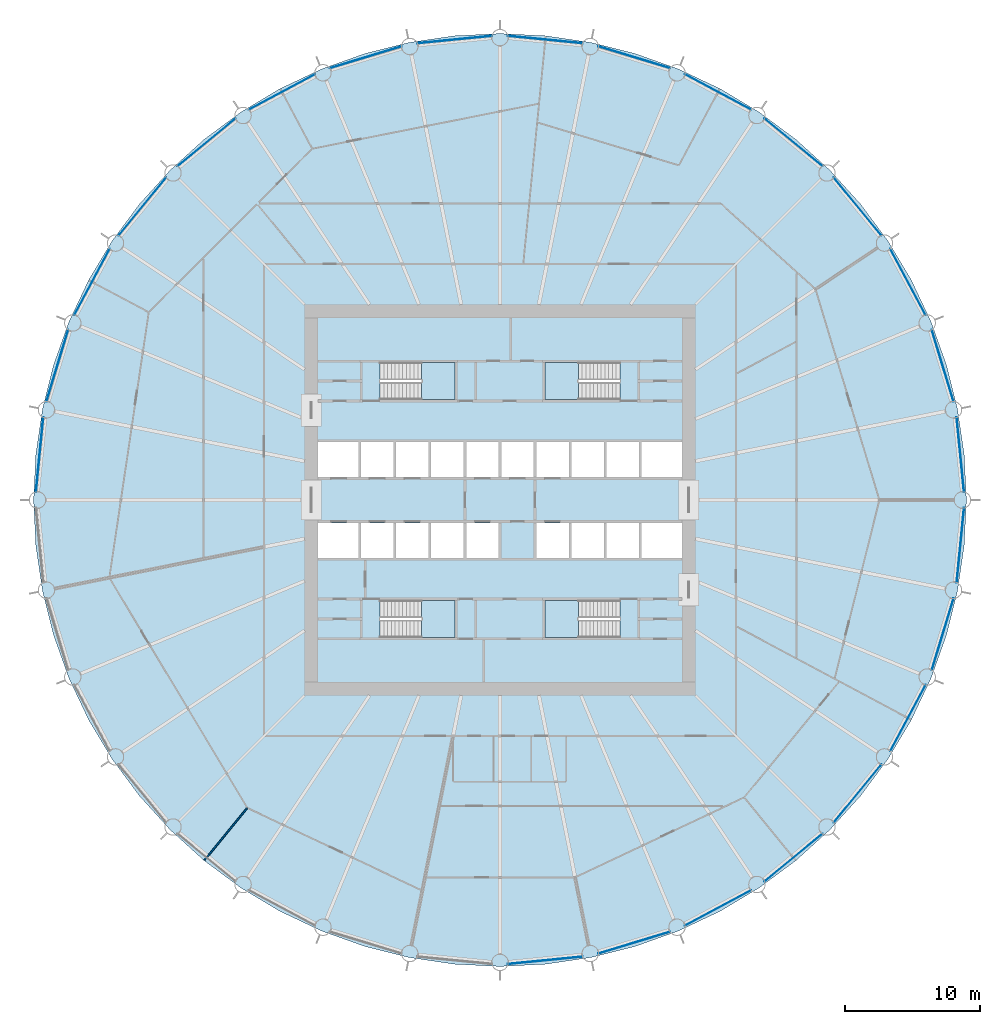
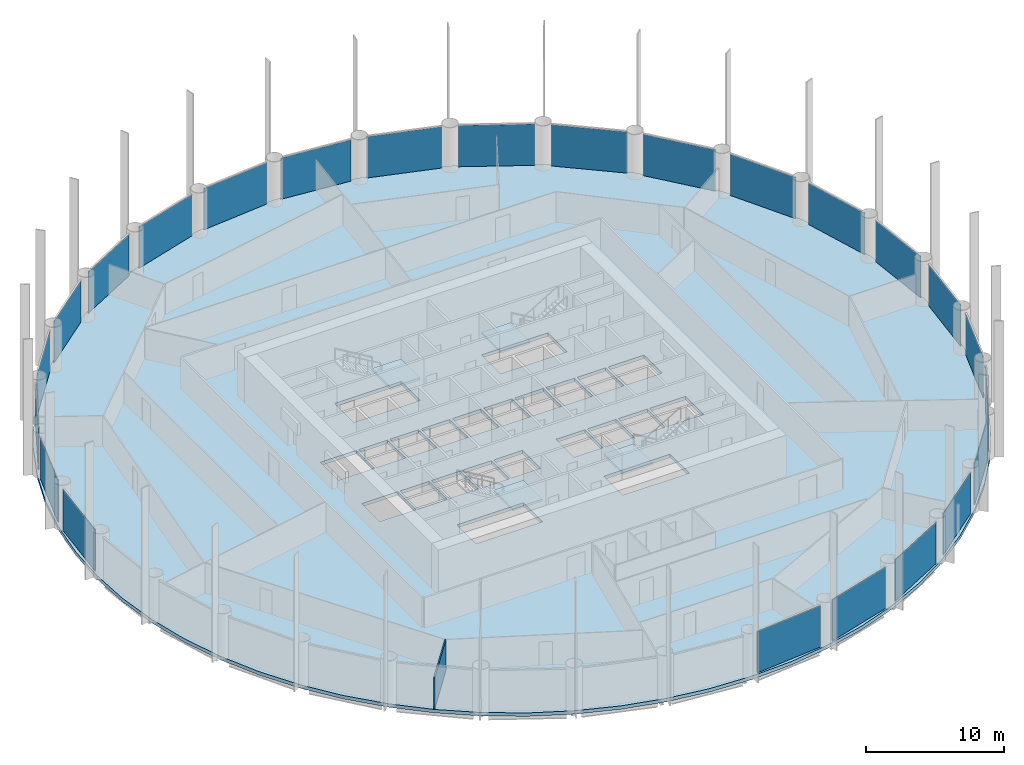
# One storey, part 3 of 10: 24 plates, 5 slabs, 1 wall, 28 elements without a shape of their own.
"""IFC4 building model written with IfcOpenShell, lengths in metres."""

from ifc_helpers import new_model, si_unit, direction, frame, frame_2d, origin, origin_2d, place, context, subcontext, project, spatial, polyline, rectangle, outline, extrude, material, layer, layer_set, type_object, element, aggregate, save


model = new_model("IFC4")

# Units and contexts
model_context = context("Model", 3, precision=1e-05, world=origin(), true_north=direction((0.0, 1.0)))
body_context = subcontext(model_context, "Body", "Model", "MODEL_VIEW")
ifc_project = project(units=[si_unit("LENGTHUNIT", "METRE"), si_unit("AREAUNIT", "SQUARE_METRE"), si_unit("VOLUMEUNIT", "CUBIC_METRE"), si_unit("PLANEANGLEUNIT", "RADIAN"), si_unit("MASSUNIT", "GRAM", prefix="KILO")], contexts=[model_context])

# Site, building, storey
site_placement = place(None, origin())
site = spatial("IfcSite", under=ifc_project, at=site_placement, CompositionType="ELEMENT")
building_placement = place(site_placement, origin())
building = spatial("IfcBuilding", under=site, at=building_placement, Name="Corvane Civic Tower", CompositionType="ELEMENT")
storey_placement = place(building_placement, frame((0.0, 0.0, 118.5)))
storey = spatial("IfcBuildingStorey", under=building, at=storey_placement, Name="L27", CompositionType="ELEMENT", Elevation=118.5)

# Slab
ifc_material_1 = material(Name="Concrete C40/50", Category="concrete")
ifc_layer_1 = layer(ifc_material_1, 0.300048828125)
ifc_layer_set_1 = layer_set([ifc_layer_1], Name="Concrete C40/50")
slab_type_1 = type_object("IfcSlabType", Name="FLOOR SLAB 300", PredefinedType="FLOOR", material=ifc_layer_set_1)
slab_1_placement = place(storey_placement, frame((0.0, 0.0, -0.300048828125)))
element("IfcSlab", 1, at=slab_1_placement, inside=storey, type_object=slab_type_1, Name="SLB-L27", PredefinedType="FLOOR", context=body_context, shape_type="SweptSolid", body=[
    extrude(outline(polyline([(0.0, 34.60009765625), (-3.391357421875, 34.433349609375), (-6.750244140625, 33.93505859375), (-10.0439453125, 33.110107421875), (-13.240966796875, 31.96630859375), (-16.310302734375, 30.514404296875), (-19.22265625, 28.768798828125), (-21.949951171875, 26.74609375), (-24.4658203125, 24.4658203125), (-26.74609375, 21.949951171875), (-28.768798828125, 19.22265625), (-30.514404296875, 16.310302734375), (-31.96630859375, 13.240966796875), (-33.110107421875, 10.0439453125), (-33.93505859375, 6.750244140625), (-34.433349609375, 3.391357421875), (-34.60009765625, 0.0), (-34.433349609375, -3.391357421875), (-33.93505859375, -6.750244140625), (-33.110107421875, -10.0439453125), (-31.96630859375, -13.240966796875), (-30.514404296875, -16.310302734375), (-28.768798828125, -19.22265625), (-26.74609375, -21.949951171875), (-24.4658203125, -24.4658203125), (-21.949951171875, -26.74609375), (-19.22265625, -28.768798828125), (-16.310302734375, -30.514404296875), (-13.240966796875, -31.96630859375), (-10.0439453125, -33.110107421875), (-6.750244140625, -33.93505859375), (-3.391357421875, -34.433349609375), (0.0, -34.60009765625), (3.391357421875, -34.433349609375), (6.750244140625, -33.93505859375), (10.0439453125, -33.110107421875), (13.240966796875, -31.96630859375), (16.310302734375, -30.514404296875), (19.22265625, -28.768798828125), (21.949951171875, -26.74609375), (24.4658203125, -24.4658203125), (26.74609375, -21.949951171875), (28.768798828125, -19.22265625), (30.514404296875, -16.310302734375), (31.96630859375, -13.240966796875), (33.110107421875, -10.0439453125), (33.93505859375, -6.750244140625), (34.433349609375, -3.391357421875), (34.60009765625, 0.0), (34.433349609375, 3.391357421875), (33.93505859375, 6.750244140625), (33.110107421875, 10.0439453125), (31.96630859375, 13.240966796875), (30.514404296875, 16.310302734375), (28.768798828125, 19.22265625), (26.74609375, 21.949951171875), (24.4658203125, 24.4658203125), (21.949951171875, 26.74609375), (19.22265625, 28.768798828125), (16.310302734375, 30.514404296875), (13.240966796875, 31.96630859375), (10.0439453125, 33.110107421875), (6.750244140625, 33.93505859375), (3.391357421875, 34.433349609375), (0.0, 34.60009765625)]), holes=[polyline([(-13.5, 4.300048828125), (-10.5, 4.300048828125), (-10.5, 1.699951171875), (-13.5, 1.699951171875), (-13.5, 4.300048828125)]), polyline([(-7.89990234375, 1.699951171875), (-10.300048828125, 1.699951171875), (-10.300048828125, 4.300048828125), (-7.89990234375, 4.300048828125), (-7.89990234375, 1.699951171875)]), polyline([(-7.699951171875, 4.300048828125), (-5.300048828125, 4.300048828125), (-5.300048828125, 1.699951171875), (-7.699951171875, 1.699951171875), (-7.699951171875, 4.300048828125)]), polyline([(-5.10009765625, 4.300048828125), (-2.699951171875, 4.300048828125), (-2.699951171875, 1.699951171875), (-5.10009765625, 1.699951171875), (-5.10009765625, 4.300048828125)]), polyline([(-2.5, 4.300048828125), (-0.10009765625, 4.300048828125), (-0.10009765625, 1.699951171875), (-2.5, 1.699951171875), (-2.5, 4.300048828125)]), polyline([(2.5, 4.300048828125), (2.5, 1.699951171875), (0.10009765625, 1.699951171875), (0.10009765625, 4.300048828125), (2.5, 4.300048828125)]), polyline([(2.699951171875, 4.300048828125), (5.10009765625, 4.300048828125), (5.10009765625, 1.699951171875), (2.699951171875, 1.699951171875), (2.699951171875, 4.300048828125)]), polyline([(5.300048828125, 4.300048828125), (7.699951171875, 4.300048828125), (7.699951171875, 1.699951171875), (5.300048828125, 1.699951171875), (5.300048828125, 4.300048828125)]), polyline([(7.89990234375, 4.300048828125), (10.300048828125, 4.300048828125), (10.300048828125, 1.699951171875), (7.89990234375, 1.699951171875), (7.89990234375, 4.300048828125)]), polyline([(13.5, 1.699951171875), (10.5, 1.699951171875), (10.5, 4.300048828125), (13.5, 4.300048828125), (13.5, 1.699951171875)]), polyline([(-13.5, -1.699951171875), (-10.5, -1.699951171875), (-10.5, -4.300048828125), (-13.5, -4.300048828125), (-13.5, -1.699951171875)]), polyline([(-10.300048828125, -1.699951171875), (-7.89990234375, -1.699951171875), (-7.89990234375, -4.300048828125), (-10.300048828125, -4.300048828125), (-10.300048828125, -1.699951171875)]), polyline([(-7.699951171875, -1.699951171875), (-5.300048828125, -1.699951171875), (-5.300048828125, -4.300048828125), (-7.699951171875, -4.300048828125), (-7.699951171875, -1.699951171875)]), polyline([(-5.10009765625, -1.699951171875), (-2.699951171875, -1.699951171875), (-2.699951171875, -4.300048828125), (-5.10009765625, -4.300048828125), (-5.10009765625, -1.699951171875)]), polyline([(-2.5, -1.699951171875), (-0.10009765625, -1.699951171875), (-0.10009765625, -4.300048828125), (-2.5, -4.300048828125), (-2.5, -1.699951171875)]), polyline([(2.699951171875, -1.699951171875), (5.10009765625, -1.699951171875), (5.10009765625, -4.300048828125), (2.699951171875, -4.300048828125), (2.699951171875, -1.699951171875)]), polyline([(5.300048828125, -1.699951171875), (7.699951171875, -1.699951171875), (7.699951171875, -4.300048828125), (5.300048828125, -4.300048828125), (5.300048828125, -1.699951171875)]), polyline([(7.89990234375, -4.300048828125), (7.89990234375, -1.699951171875), (10.300048828125, -1.699951171875), (10.300048828125, -4.300048828125), (7.89990234375, -4.300048828125)]), polyline([(13.5, -4.300048828125), (10.5, -4.300048828125), (10.5, -1.699951171875), (13.5, -1.699951171875), (13.5, -4.300048828125)]), polyline([(8.889892578125, 10.199951171875), (8.889892578125, 7.449951171875), (3.35009765625, 7.449951171875), (3.35009765625, 10.199951171875), (8.889892578125, 10.199951171875)]), polyline([(-8.889892578125, 7.449951171875), (-8.889892578125, 10.199951171875), (-3.35009765625, 10.199951171875), (-3.35009765625, 7.449951171875), (-8.889892578125, 7.449951171875)]), polyline([(8.889892578125, -7.449951171875), (8.889892578125, -10.199951171875), (3.35009765625, -10.199951171875), (3.35009765625, -7.449951171875), (8.889892578125, -7.449951171875)]), polyline([(-8.889892578125, -10.199951171875), (-8.889892578125, -7.449951171875), (-3.35009765625, -7.449951171875), (-3.35009765625, -10.199951171875), (-8.889892578125, -10.199951171875)])]), origin(), (0.0, 0.0, 1.0), 0.300048828125),
])

# Stair, slab
ifc_material_2 = material(Name="Concrete C40/50", Category="concrete")
stair_type = type_object("IfcStairType", Name="ST-STAIR-HALFTURN", PredefinedType="HALF_TURN_STAIR", material=ifc_material_2)
stair_1_placement = place(storey_placement, origin())
stair_1 = element("IfcStair", 2, at=stair_1_placement, inside=storey, type_object=stair_type, Name="L27 Exit stair ST1", PredefinedType="HALF_TURN_STAIR")
ifc_material_3 = material(Name="Concrete C40/50", Category="concrete")
ifc_layer_2 = layer(ifc_material_3, 0.199951171875)
ifc_layer_set_2 = layer_set([ifc_layer_2], Name="Concrete C40/50")
slab_type_2 = type_object("IfcSlabType", Name="ST-LANDING-RC", PredefinedType="LANDING", material=ifc_layer_set_2)
slab_2_placement = place(storey_placement, frame((0.0, 0.0, 1.800048828125)))
slab_2 = element("IfcSlab", 3, at=slab_2_placement, type_object=slab_type_2, Name="ST1 landing 1", PredefinedType="LANDING", context=body_context, shape_type="SweptSolid", body=[
    extrude(outline(polyline([(5.820068359375, 10.199951171875), (3.35009765625, 10.199951171875), (3.35009765625, 7.449951171875), (5.820068359375, 7.449951171875), (5.820068359375, 10.199951171875)])), origin(), (0.0, 0.0, 1.0), 0.199951171875),
])
aggregate(stair_1, [slab_2])

stair_2_placement = place(storey_placement, origin())
stair_2 = element("IfcStair", 4, at=stair_2_placement, inside=storey, type_object=stair_type, Name="L27 Exit stair ST2", PredefinedType="HALF_TURN_STAIR")
slab_3_placement = place(storey_placement, frame((0.0, 0.0, 1.800048828125)))
slab_3 = element("IfcSlab", 5, at=slab_3_placement, type_object=slab_type_2, Name="ST2 landing 1", PredefinedType="LANDING", context=body_context, shape_type="SweptSolid", body=[
    extrude(outline(polyline([(5.820068359375, -7.449951171875), (3.35009765625, -7.449951171875), (3.35009765625, -10.199951171875), (5.820068359375, -10.199951171875), (5.820068359375, -7.449951171875)])), origin(), (0.0, 0.0, 1.0), 0.199951171875),
])
aggregate(stair_2, [slab_3])

stair_3_placement = place(storey_placement, origin())
stair_3 = element("IfcStair", 6, at=stair_3_placement, inside=storey, type_object=stair_type, Name="L27 Exit stair ST3", PredefinedType="HALF_TURN_STAIR")
slab_4_placement = place(storey_placement, frame((0.0, 0.0, 1.800048828125)))
slab_4 = element("IfcSlab", 7, at=slab_4_placement, type_object=slab_type_2, Name="ST3 landing 1", PredefinedType="LANDING", context=body_context, shape_type="SweptSolid", body=[
    extrude(outline(polyline([(-5.820068359375, -10.199951171875), (-3.35009765625, -10.199951171875), (-3.35009765625, -7.449951171875), (-5.820068359375, -7.449951171875), (-5.820068359375, -10.199951171875)])), origin(), (0.0, 0.0, 1.0), 0.199951171875),
])
aggregate(stair_3, [slab_4])

stair_4_placement = place(storey_placement, origin())
stair_4 = element("IfcStair", 8, at=stair_4_placement, inside=storey, type_object=stair_type, Name="L27 Exit stair ST4", PredefinedType="HALF_TURN_STAIR")
slab_5_placement = place(storey_placement, frame((0.0, 0.0, 1.800048828125)))
slab_5 = element("IfcSlab", 9, at=slab_5_placement, type_object=slab_type_2, Name="ST4 landing 1", PredefinedType="LANDING", context=body_context, shape_type="SweptSolid", body=[
    extrude(outline(polyline([(-5.820068359375, 7.449951171875), (-3.35009765625, 7.449951171875), (-3.35009765625, 10.199951171875), (-5.820068359375, 10.199951171875), (-5.820068359375, 7.449951171875)])), origin(), (0.0, 0.0, 1.0), 0.199951171875),
])
aggregate(stair_4, [slab_5])

# Curtain wall, plate
ifc_material_4 = material(Name="Anodised aluminium bronze", Category="aluminium")
curtain_wall_type = type_object("IfcCurtainWallType", Name="TOWER CW-T1 STICK CURTAIN WALL", PredefinedType="NOTDEFINED", material=ifc_material_4)
curtain_wall_1_placement = place(storey_placement, origin())
curtain_wall_1 = element("IfcCurtainWall", 10, at=curtain_wall_1_placement, inside=storey, type_object=curtain_wall_type, Name="Curtain wall CW-T1 L27 bay 01", PredefinedType="NOTDEFINED")
ifc_material_5 = material(Name="Tinted glass", Category="glass")
ifc_layer_3 = layer(ifc_material_5, 0.035888671875)
ifc_layer_set_3 = layer_set([ifc_layer_3], Name="Tinted glass")
plate_type = type_object("IfcPlateType", Name="TOWER CW-T1 PANEL IGU36", PredefinedType="CURTAIN_PANEL", material=ifc_layer_set_3)
plate_1_placement = place(storey_placement, frame((3.36328125, 34.148681640625, 0.0), z_axis=(0.0, 0.0, 1.0), x_axis=(0.995183788169, -0.098026668644, 0.0)))
plate_1 = element("IfcPlate", 11, at=plate_1_placement, type_object=plate_type, Name="Glass panel CW-T1 L27 01.1", PredefinedType="CURTAIN_PANEL", context=body_context, shape_type="SweptSolid", body=[
    extrude(rectangle(XDim=5.58642578125, YDim=0.035888671875, at=origin_2d()), origin(), (0.0, 0.0, 1.0), 3.6298828125),
])
aggregate(curtain_wall_1, [plate_1])

curtain_wall_2_placement = place(storey_placement, origin())
curtain_wall_2 = element("IfcCurtainWall", 12, at=curtain_wall_2_placement, inside=storey, type_object=curtain_wall_type, Name="Curtain wall CW-T1 L27 bay 02", PredefinedType="NOTDEFINED")
plate_2_placement = place(storey_placement, frame((9.9609375, 32.83642578125, 0.0), z_axis=(0.0, 0.0, 1.0), x_axis=(0.956945991488, -0.290266032073, 0.0)))
plate_2 = element("IfcPlate", 13, at=plate_2_placement, type_object=plate_type, Name="Glass panel CW-T1 L27 02.1", PredefinedType="CURTAIN_PANEL", context=body_context, shape_type="SweptSolid", body=[
    extrude(rectangle(XDim=5.58642578125, YDim=0.035888671875, at=origin_2d()), origin(), (0.0, 0.0, 1.0), 3.6298828125),
])
aggregate(curtain_wall_2, [plate_2])

curtain_wall_3_placement = place(storey_placement, origin())
curtain_wall_3 = element("IfcCurtainWall", 14, at=curtain_wall_3_placement, inside=storey, type_object=curtain_wall_type, Name="Curtain wall CW-T1 L27 bay 03", PredefinedType="NOTDEFINED")
plate_3_placement = place(storey_placement, frame((16.175537109375, 30.26220703125, 0.0), z_axis=(0.0, 0.0, 1.0), x_axis=(0.881923642976, -0.471392286699, 0.0)))
plate_3 = element("IfcPlate", 15, at=plate_3_placement, type_object=plate_type, Name="Glass panel CW-T1 L27 03.1", PredefinedType="CURTAIN_PANEL", context=body_context, shape_type="SweptSolid", body=[
    extrude(rectangle(XDim=5.586669921875, YDim=0.035888671875, at=origin_2d()), origin(), (0.0, 0.0, 1.0), 3.6298828125),
])
aggregate(curtain_wall_3, [plate_3])

curtain_wall_4_placement = place(storey_placement, origin())
curtain_wall_4 = element("IfcCurtainWall", 16, at=curtain_wall_4_placement, inside=storey, type_object=curtain_wall_type, Name="Curtain wall CW-T1 L27 bay 04", PredefinedType="NOTDEFINED")
plate_4_placement = place(storey_placement, frame((21.7685546875, 26.525146484375, 0.0), z_axis=(0.0, 0.0, 1.0), x_axis=(0.773013419843, -0.63438966948, 0.0)))
plate_4 = element("IfcPlate", 17, at=plate_4_placement, type_object=plate_type, Name="Glass panel CW-T1 L27 04.1", PredefinedType="CURTAIN_PANEL", context=body_context, shape_type="SweptSolid", body=[
    extrude(rectangle(XDim=5.58642578125, YDim=0.035888671875, at=origin_2d()), origin(), (0.0, 0.0, 1.0), 3.6298828125),
])
aggregate(curtain_wall_4, [plate_4])

curtain_wall_5_placement = place(storey_placement, origin())
curtain_wall_5 = element("IfcCurtainWall", 18, at=curtain_wall_5_placement, inside=storey, type_object=curtain_wall_type, Name="Curtain wall CW-T1 L27 bay 05", PredefinedType="NOTDEFINED")
plate_5_placement = place(storey_placement, frame((26.525146484375, 21.7685546875, 0.0), z_axis=(0.0, 0.0, 1.0), x_axis=(0.63438966948, -0.773013419843, 0.0)))
plate_5 = element("IfcPlate", 19, at=plate_5_placement, type_object=plate_type, Name="Glass panel CW-T1 L27 05.1", PredefinedType="CURTAIN_PANEL", context=body_context, shape_type="SweptSolid", body=[
    extrude(rectangle(XDim=5.58642578125, YDim=0.035888671875, at=origin_2d()), origin(), (0.0, 0.0, 1.0), 3.6298828125),
])
aggregate(curtain_wall_5, [plate_5])

curtain_wall_6_placement = place(storey_placement, origin())
curtain_wall_6 = element("IfcCurtainWall", 20, at=curtain_wall_6_placement, inside=storey, type_object=curtain_wall_type, Name="Curtain wall CW-T1 L27 bay 06", PredefinedType="NOTDEFINED")
plate_6_placement = place(storey_placement, frame((30.26220703125, 16.175537109375, 0.0), z_axis=(0.0, 0.0, 1.0), x_axis=(0.471392286699, -0.881923642976, 0.0)))
plate_6 = element("IfcPlate", 21, at=plate_6_placement, type_object=plate_type, Name="Glass panel CW-T1 L27 06.1", PredefinedType="CURTAIN_PANEL", context=body_context, shape_type="SweptSolid", body=[
    extrude(rectangle(XDim=5.586669921875, YDim=0.035888671875, at=origin_2d()), origin(), (0.0, 0.0, 1.0), 3.6298828125),
])
aggregate(curtain_wall_6, [plate_6])

curtain_wall_7_placement = place(storey_placement, origin())
curtain_wall_7 = element("IfcCurtainWall", 22, at=curtain_wall_7_placement, inside=storey, type_object=curtain_wall_type, Name="Curtain wall CW-T1 L27 bay 07", PredefinedType="NOTDEFINED")
plate_7_placement = place(storey_placement, frame((32.83642578125, 9.9609375, 0.0), z_axis=(0.0, 0.0, 1.0), x_axis=(0.290266032073, -0.956945991488, 0.0)))
plate_7 = element("IfcPlate", 23, at=plate_7_placement, type_object=plate_type, Name="Glass panel CW-T1 L27 07.1", PredefinedType="CURTAIN_PANEL", context=body_context, shape_type="SweptSolid", body=[
    extrude(rectangle(XDim=5.58642578125, YDim=0.035888671875, at=origin_2d()), origin(), (0.0, 0.0, 1.0), 3.6298828125),
])
aggregate(curtain_wall_7, [plate_7])

curtain_wall_8_placement = place(storey_placement, origin())
curtain_wall_8 = element("IfcCurtainWall", 24, at=curtain_wall_8_placement, inside=storey, type_object=curtain_wall_type, Name="Curtain wall CW-T1 L27 bay 08", PredefinedType="NOTDEFINED")
plate_8_placement = place(storey_placement, frame((34.148681640625, 3.36328125, 0.0), z_axis=(0.0, 0.0, 1.0), x_axis=(0.098026668644, -0.995183788169, 0.0)))
plate_8 = element("IfcPlate", 25, at=plate_8_placement, type_object=plate_type, Name="Glass panel CW-T1 L27 08.1", PredefinedType="CURTAIN_PANEL", context=body_context, shape_type="SweptSolid", body=[
    extrude(rectangle(XDim=5.58642578125, YDim=0.035888671875, at=origin_2d()), origin(), (0.0, 0.0, 1.0), 3.6298828125),
])
aggregate(curtain_wall_8, [plate_8])

curtain_wall_9_placement = place(storey_placement, origin())
curtain_wall_9 = element("IfcCurtainWall", 26, at=curtain_wall_9_placement, inside=storey, type_object=curtain_wall_type, Name="Curtain wall CW-T1 L27 bay 09", PredefinedType="NOTDEFINED")
plate_9_placement = place(storey_placement, frame((34.148681640625, -3.36328125, 0.0), z_axis=(0.0, 0.0, 1.0), x_axis=(-0.098026668644, -0.995183788169, 0.0)))
plate_9 = element("IfcPlate", 27, at=plate_9_placement, type_object=plate_type, Name="Glass panel CW-T1 L27 09.1", PredefinedType="CURTAIN_PANEL", context=body_context, shape_type="SweptSolid", body=[
    extrude(rectangle(XDim=5.58642578125, YDim=0.035888671875, at=origin_2d()), origin(), (0.0, 0.0, 1.0), 3.6298828125),
])
aggregate(curtain_wall_9, [plate_9])

curtain_wall_10_placement = place(storey_placement, origin())
curtain_wall_10 = element("IfcCurtainWall", 28, at=curtain_wall_10_placement, inside=storey, type_object=curtain_wall_type, Name="Curtain wall CW-T1 L27 bay 10", PredefinedType="NOTDEFINED")
plate_10_placement = place(storey_placement, frame((32.83642578125, -9.9609375, 0.0), z_axis=(0.0, 0.0, 1.0), x_axis=(-0.290266032073, -0.956945991488, 0.0)))
plate_10 = element("IfcPlate", 29, at=plate_10_placement, type_object=plate_type, Name="Glass panel CW-T1 L27 10.1", PredefinedType="CURTAIN_PANEL", context=body_context, shape_type="SweptSolid", body=[
    extrude(rectangle(XDim=5.58642578125, YDim=0.035888671875, at=origin_2d()), origin(), (0.0, 0.0, 1.0), 3.6298828125),
])
aggregate(curtain_wall_10, [plate_10])

curtain_wall_11_placement = place(storey_placement, origin())
curtain_wall_11 = element("IfcCurtainWall", 30, at=curtain_wall_11_placement, inside=storey, type_object=curtain_wall_type, Name="Curtain wall CW-T1 L27 bay 11", PredefinedType="NOTDEFINED")
plate_11_placement = place(storey_placement, frame((30.26220703125, -16.175537109375, 0.0), z_axis=(0.0, 0.0, 1.0), x_axis=(-0.471392286699, -0.881923642976, 0.0)))
plate_11 = element("IfcPlate", 31, at=plate_11_placement, type_object=plate_type, Name="Glass panel CW-T1 L27 11.1", PredefinedType="CURTAIN_PANEL", context=body_context, shape_type="SweptSolid", body=[
    extrude(rectangle(XDim=5.586669921875, YDim=0.035888671875, at=origin_2d()), origin(), (0.0, 0.0, 1.0), 3.6298828125),
])
aggregate(curtain_wall_11, [plate_11])

curtain_wall_12_placement = place(storey_placement, origin())
curtain_wall_12 = element("IfcCurtainWall", 32, at=curtain_wall_12_placement, inside=storey, type_object=curtain_wall_type, Name="Curtain wall CW-T1 L27 bay 12", PredefinedType="NOTDEFINED")
plate_12_placement = place(storey_placement, frame((26.525146484375, -21.7685546875, 0.0), z_axis=(0.0, 0.0, 1.0), x_axis=(-0.63438966948, -0.773013419843, 0.0)))
plate_12 = element("IfcPlate", 33, at=plate_12_placement, type_object=plate_type, Name="Glass panel CW-T1 L27 12.1", PredefinedType="CURTAIN_PANEL", context=body_context, shape_type="SweptSolid", body=[
    extrude(rectangle(XDim=5.58642578125, YDim=0.035888671875, at=origin_2d()), origin(), (0.0, 0.0, 1.0), 3.6298828125),
])
aggregate(curtain_wall_12, [plate_12])

curtain_wall_13_placement = place(storey_placement, origin())
curtain_wall_13 = element("IfcCurtainWall", 34, at=curtain_wall_13_placement, inside=storey, type_object=curtain_wall_type, Name="Curtain wall CW-T1 L27 bay 13", PredefinedType="NOTDEFINED")
plate_13_placement = place(storey_placement, frame((21.7685546875, -26.525146484375, 0.0), z_axis=(0.0, 0.0, 1.0), x_axis=(-0.773013419843, -0.63438966948, 0.0)))
plate_13 = element("IfcPlate", 35, at=plate_13_placement, type_object=plate_type, Name="Glass panel CW-T1 L27 13.1", PredefinedType="CURTAIN_PANEL", context=body_context, shape_type="SweptSolid", body=[
    extrude(rectangle(XDim=5.58642578125, YDim=0.035888671875, at=origin_2d()), origin(), (0.0, 0.0, 1.0), 3.6298828125),
])
aggregate(curtain_wall_13, [plate_13])

curtain_wall_14_placement = place(storey_placement, origin())
curtain_wall_14 = element("IfcCurtainWall", 36, at=curtain_wall_14_placement, inside=storey, type_object=curtain_wall_type, Name="Curtain wall CW-T1 L27 bay 14", PredefinedType="NOTDEFINED")
plate_14_placement = place(storey_placement, frame((16.175537109375, -30.26220703125, 0.0), z_axis=(0.0, 0.0, 1.0), x_axis=(-0.881923642976, -0.471392286699, 0.0)))
plate_14 = element("IfcPlate", 37, at=plate_14_placement, type_object=plate_type, Name="Glass panel CW-T1 L27 14.1", PredefinedType="CURTAIN_PANEL", context=body_context, shape_type="SweptSolid", body=[
    extrude(rectangle(XDim=5.586669921875, YDim=0.035888671875, at=origin_2d()), origin(), (0.0, 0.0, 1.0), 3.6298828125),
])
aggregate(curtain_wall_14, [plate_14])

curtain_wall_15_placement = place(storey_placement, origin())
curtain_wall_15 = element("IfcCurtainWall", 38, at=curtain_wall_15_placement, inside=storey, type_object=curtain_wall_type, Name="Curtain wall CW-T1 L27 bay 15", PredefinedType="NOTDEFINED")
plate_15_placement = place(storey_placement, frame((9.9609375, -32.83642578125, 0.0), z_axis=(0.0, 0.0, 1.0), x_axis=(-0.956945991488, -0.290266032073, 0.0)))
plate_15 = element("IfcPlate", 39, at=plate_15_placement, type_object=plate_type, Name="Glass panel CW-T1 L27 15.1", PredefinedType="CURTAIN_PANEL", context=body_context, shape_type="SweptSolid", body=[
    extrude(rectangle(XDim=5.58642578125, YDim=0.035888671875, at=origin_2d()), origin(), (0.0, 0.0, 1.0), 3.6298828125),
])
aggregate(curtain_wall_15, [plate_15])

curtain_wall_16_placement = place(storey_placement, origin())
curtain_wall_16 = element("IfcCurtainWall", 40, at=curtain_wall_16_placement, inside=storey, type_object=curtain_wall_type, Name="Curtain wall CW-T1 L27 bay 16", PredefinedType="NOTDEFINED")
plate_16_placement = place(storey_placement, frame((3.36328125, -34.148681640625, 0.0), z_axis=(0.0, 0.0, 1.0), x_axis=(-0.995183788169, -0.098026668644, 0.0)))
plate_16 = element("IfcPlate", 41, at=plate_16_placement, type_object=plate_type, Name="Glass panel CW-T1 L27 16.1", PredefinedType="CURTAIN_PANEL", context=body_context, shape_type="SweptSolid", body=[
    extrude(rectangle(XDim=5.58642578125, YDim=0.035888671875, at=origin_2d()), origin(), (0.0, 0.0, 1.0), 3.6298828125),
])
aggregate(curtain_wall_16, [plate_16])

curtain_wall_17_placement = place(storey_placement, origin())
curtain_wall_17 = element("IfcCurtainWall", 42, at=curtain_wall_17_placement, inside=storey, type_object=curtain_wall_type, Name="Curtain wall CW-T1 L27 bay 25", PredefinedType="NOTDEFINED")
plate_17_placement = place(storey_placement, frame((-34.148681640625, 3.36328125, 0.0), z_axis=(0.0, 0.0, 1.0), x_axis=(0.098026668644, 0.995183788169, 0.0)))
plate_17 = element("IfcPlate", 43, at=plate_17_placement, type_object=plate_type, Name="Glass panel CW-T1 L27 25.1", PredefinedType="CURTAIN_PANEL", context=body_context, shape_type="SweptSolid", body=[
    extrude(rectangle(XDim=5.58642578125, YDim=0.035888671875, at=origin_2d()), origin(), (0.0, 0.0, 1.0), 3.6298828125),
])
aggregate(curtain_wall_17, [plate_17])

curtain_wall_18_placement = place(storey_placement, origin())
curtain_wall_18 = element("IfcCurtainWall", 44, at=curtain_wall_18_placement, inside=storey, type_object=curtain_wall_type, Name="Curtain wall CW-T1 L27 bay 26", PredefinedType="NOTDEFINED")
plate_18_placement = place(storey_placement, frame((-32.83642578125, 9.9609375, 0.0), z_axis=(0.0, 0.0, 1.0), x_axis=(0.290266032073, 0.956945991488, 0.0)))
plate_18 = element("IfcPlate", 45, at=plate_18_placement, type_object=plate_type, Name="Glass panel CW-T1 L27 26.1", PredefinedType="CURTAIN_PANEL", context=body_context, shape_type="SweptSolid", body=[
    extrude(rectangle(XDim=5.58642578125, YDim=0.035888671875, at=origin_2d()), origin(), (0.0, 0.0, 1.0), 3.6298828125),
])
aggregate(curtain_wall_18, [plate_18])

curtain_wall_19_placement = place(storey_placement, origin())
curtain_wall_19 = element("IfcCurtainWall", 46, at=curtain_wall_19_placement, inside=storey, type_object=curtain_wall_type, Name="Curtain wall CW-T1 L27 bay 27", PredefinedType="NOTDEFINED")
plate_19_placement = place(storey_placement, frame((-30.26220703125, 16.175537109375, 0.0), z_axis=(0.0, 0.0, 1.0), x_axis=(0.471392286699, 0.881923642976, 0.0)))
plate_19 = element("IfcPlate", 47, at=plate_19_placement, type_object=plate_type, Name="Glass panel CW-T1 L27 27.1", PredefinedType="CURTAIN_PANEL", context=body_context, shape_type="SweptSolid", body=[
    extrude(rectangle(XDim=5.586669921875, YDim=0.035888671875, at=origin_2d()), origin(), (0.0, 0.0, 1.0), 3.6298828125),
])
aggregate(curtain_wall_19, [plate_19])

curtain_wall_20_placement = place(storey_placement, origin())
curtain_wall_20 = element("IfcCurtainWall", 48, at=curtain_wall_20_placement, inside=storey, type_object=curtain_wall_type, Name="Curtain wall CW-T1 L27 bay 28", PredefinedType="NOTDEFINED")
plate_20_placement = place(storey_placement, frame((-26.525146484375, 21.7685546875, 0.0), z_axis=(0.0, 0.0, 1.0), x_axis=(0.63438966948, 0.773013419843, 0.0)))
plate_20 = element("IfcPlate", 49, at=plate_20_placement, type_object=plate_type, Name="Glass panel CW-T1 L27 28.1", PredefinedType="CURTAIN_PANEL", context=body_context, shape_type="SweptSolid", body=[
    extrude(rectangle(XDim=5.58642578125, YDim=0.035888671875, at=origin_2d()), origin(), (0.0, 0.0, 1.0), 3.6298828125),
])
aggregate(curtain_wall_20, [plate_20])

curtain_wall_21_placement = place(storey_placement, origin())
curtain_wall_21 = element("IfcCurtainWall", 50, at=curtain_wall_21_placement, inside=storey, type_object=curtain_wall_type, Name="Curtain wall CW-T1 L27 bay 29", PredefinedType="NOTDEFINED")
plate_21_placement = place(storey_placement, frame((-21.7685546875, 26.525146484375, 0.0), z_axis=(0.0, 0.0, 1.0), x_axis=(0.773013419843, 0.63438966948, 0.0)))
plate_21 = element("IfcPlate", 51, at=plate_21_placement, type_object=plate_type, Name="Glass panel CW-T1 L27 29.1", PredefinedType="CURTAIN_PANEL", context=body_context, shape_type="SweptSolid", body=[
    extrude(rectangle(XDim=5.58642578125, YDim=0.035888671875, at=origin_2d()), origin(), (0.0, 0.0, 1.0), 3.6298828125),
])
aggregate(curtain_wall_21, [plate_21])

curtain_wall_22_placement = place(storey_placement, origin())
curtain_wall_22 = element("IfcCurtainWall", 52, at=curtain_wall_22_placement, inside=storey, type_object=curtain_wall_type, Name="Curtain wall CW-T1 L27 bay 30", PredefinedType="NOTDEFINED")
plate_22_placement = place(storey_placement, frame((-16.175537109375, 30.26220703125, 0.0), z_axis=(0.0, 0.0, 1.0), x_axis=(0.881923642976, 0.471392286699, 0.0)))
plate_22 = element("IfcPlate", 53, at=plate_22_placement, type_object=plate_type, Name="Glass panel CW-T1 L27 30.1", PredefinedType="CURTAIN_PANEL", context=body_context, shape_type="SweptSolid", body=[
    extrude(rectangle(XDim=5.586669921875, YDim=0.035888671875, at=origin_2d()), origin(), (0.0, 0.0, 1.0), 3.6298828125),
])
aggregate(curtain_wall_22, [plate_22])

curtain_wall_23_placement = place(storey_placement, origin())
curtain_wall_23 = element("IfcCurtainWall", 54, at=curtain_wall_23_placement, inside=storey, type_object=curtain_wall_type, Name="Curtain wall CW-T1 L27 bay 31", PredefinedType="NOTDEFINED")
plate_23_placement = place(storey_placement, frame((-9.9609375, 32.83642578125, 0.0), z_axis=(0.0, 0.0, 1.0), x_axis=(0.956945991488, 0.290266032073, 0.0)))
plate_23 = element("IfcPlate", 55, at=plate_23_placement, type_object=plate_type, Name="Glass panel CW-T1 L27 31.1", PredefinedType="CURTAIN_PANEL", context=body_context, shape_type="SweptSolid", body=[
    extrude(rectangle(XDim=5.58642578125, YDim=0.035888671875, at=origin_2d()), origin(), (0.0, 0.0, 1.0), 3.6298828125),
])
aggregate(curtain_wall_23, [plate_23])

curtain_wall_24_placement = place(storey_placement, origin())
curtain_wall_24 = element("IfcCurtainWall", 56, at=curtain_wall_24_placement, inside=storey, type_object=curtain_wall_type, Name="Curtain wall CW-T1 L27 bay 32", PredefinedType="NOTDEFINED")
plate_24_placement = place(storey_placement, frame((-3.36328125, 34.148681640625, 0.0), z_axis=(0.0, 0.0, 1.0), x_axis=(0.995183788169, 0.098026668644, 0.0)))
plate_24 = element("IfcPlate", 57, at=plate_24_placement, type_object=plate_type, Name="Glass panel CW-T1 L27 32.1", PredefinedType="CURTAIN_PANEL", context=body_context, shape_type="SweptSolid", body=[
    extrude(rectangle(XDim=5.58642578125, YDim=0.035888671875, at=origin_2d()), origin(), (0.0, 0.0, 1.0), 3.6298828125),
])
aggregate(curtain_wall_24, [plate_24])

# Wall
ifc_material_6 = material(Name="Plasterboard")
ifc_layer_4 = layer(ifc_material_6, 0.10009765625)
ifc_layer_set_4 = layer_set([ifc_layer_4], Name="Plasterboard")
wall_type = type_object("IfcWallType", Name="Partition 100 plasterboard on studs", PredefinedType="PARTITIONING", material=ifc_layer_set_4)
wall_placement = place(storey_placement, frame((-21.91845703125, -26.707763671875, 0.0), z_axis=(0.0, 0.0, 1.0), x_axis=(0.63436933627, 0.77303010627, 0.0)))
element("IfcWall", 58, at=wall_placement, inside=storey, type_object=wall_type, Name="Partition L27.006", PredefinedType="PARTITIONING", context=body_context, shape_type="SweptSolid", body=[
    extrude(rectangle(XDim=4.967041015625, YDim=0.10009765625, at=frame_2d((2.4833984375, 0.0))), origin(), (0.0, 0.0, 1.0), 2.699951171875),
])

save(model, "model.ifc")
